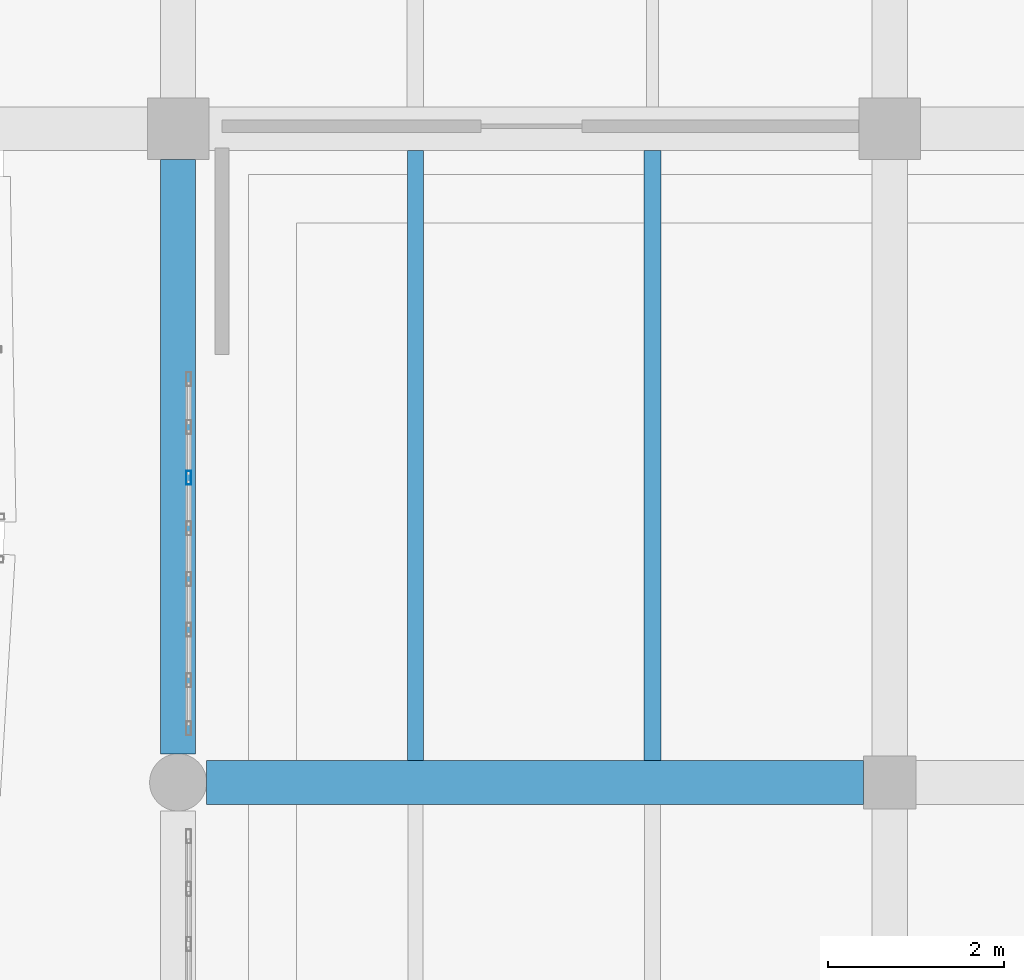
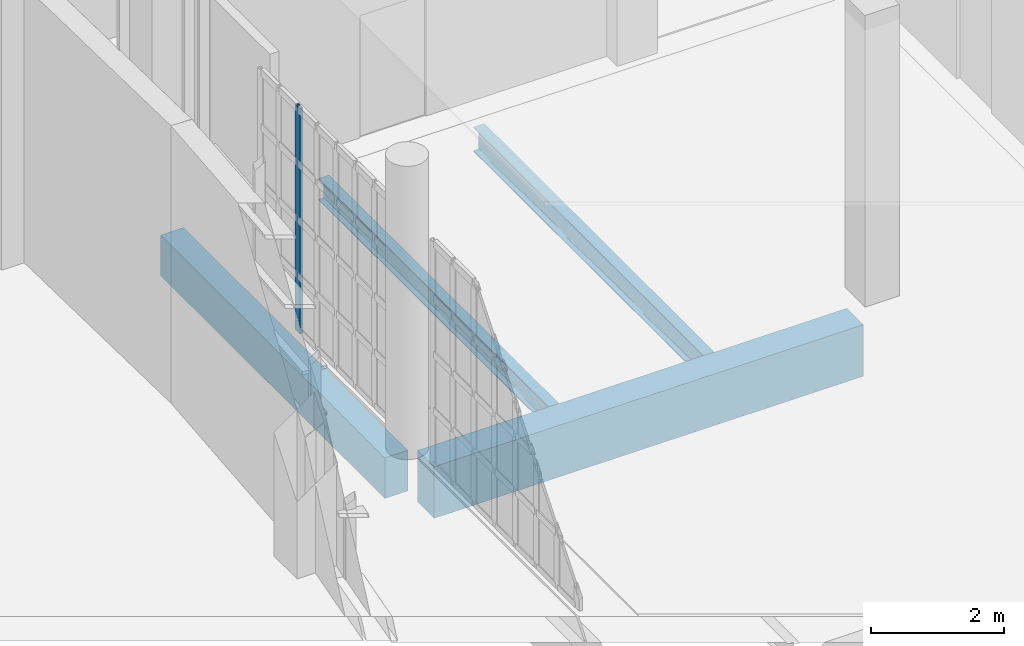
# One storey, part 232 of 372: 4 beams, 1 member, 1 element without a shape of its own.
"""IFC4 building model written with IfcOpenShell, lengths in metres."""

from ifc_helpers import new_model, si_unit, direction, frame, origin, origin_2d, place, context, subcontext, project, spatial, rectangle, hollow_rectangle, i_section, extrude, material, material_profile, profile_set, type_object, element, aggregate, save


model = new_model("IFC4")

# Units and contexts
model_context = context("Model", 3, precision=1e-05, world=origin(), true_north=direction((0.0, 1.0)))
body_context = subcontext(model_context, "Body", "Model", "MODEL_VIEW")
ifc_project = project(units=[si_unit("LENGTHUNIT", "METRE"), si_unit("AREAUNIT", "SQUARE_METRE"), si_unit("VOLUMEUNIT", "CUBIC_METRE"), si_unit("PLANEANGLEUNIT", "RADIAN"), si_unit("MASSUNIT", "GRAM", prefix="KILO")], contexts=[model_context])

# Site, building, storey
site_placement = place(None, origin())
site = spatial("IfcSite", under=ifc_project, at=site_placement, CompositionType="ELEMENT")
building_placement = place(site_placement, origin())
building = spatial("IfcBuilding", under=site, at=building_placement, Name="Kaelora Sail Theatre", CompositionType="ELEMENT")
storey_placement = place(building_placement, origin())
storey = spatial("IfcBuildingStorey", under=building, at=storey_placement, Name="L00", CompositionType="ELEMENT", Elevation=0.0)

# Curtain wall, member
ifc_material_1 = material(Name="Anodised aluminium and solar-control low-E IGU", Category="aluminium")
curtain_wall_type = type_object("IfcCurtainWallType", Name="ARC-CW-CW-FOY2", PredefinedType="NOTDEFINED", material=ifc_material_1)
curtain_wall_placement = place(storey_placement, origin())
curtain_wall = element("IfcCurtainWall", 1, at=curtain_wall_placement, inside=storey, type_object=curtain_wall_type, Name="East Interstitial Foyer West Glazed Return L00-04", PredefinedType="NOTDEFINED")
ifc_material_2 = material(Name="Anodised aluminium 6063-T6", Category="aluminium")
ifc_material_profile_1 = material_profile(ifc_material_2, hollow_rectangle(XDim=0.06005859375, YDim=0.159912109375, WallThickness=0.00390625, InnerFilletRadius=0.00390625, OuterFilletRadius=0.008056640625, at=origin_2d()), Name="ALU-MULL 60x160x4")
ifc_profile_set_1 = profile_set([ifc_material_profile_1], Name="Anodised aluminium 6063-T6")
member_type = type_object("IfcMemberType", Name="ARC-MEM-ML-160", PredefinedType="MULLION", material=ifc_profile_set_1)
member_placement = place(storey_placement, frame((106.919921875, 57.047119140625, 0.0), z_axis=(0.0, 0.0, 1.0), x_axis=(-1.0, 0.0, 0.0)))
member = element("IfcMember", 2, at=member_placement, type_object=member_type, Name="CW-FOY2 mullion 6", PredefinedType="MULLION", context=body_context, shape_type="SweptSolid", body=[
    extrude(hollow_rectangle(XDim=0.06005859375, YDim=0.159912109375, WallThickness=0.00390625, InnerFilletRadius=0.00390625, OuterFilletRadius=0.008056640625, at=origin_2d()), origin(), (0.0, 0.0, 1.0), 4.136962890625),
])
aggregate(curtain_wall, [member])

# Beams
ifc_material_3 = material(Name="Steel S355", Category="steel")
ifc_material_profile_2 = material_profile(ifc_material_3, i_section(OverallWidth=0.18994140625, OverallDepth=0.449951171875, WebThickness=0.009521484375, FlangeThickness=0.0146484375, FilletRadius=0.02099609375, at=origin_2d()), Name="IPE 450")
ifc_profile_set_2 = profile_set([ifc_material_profile_2], Name="Steel S355")
beam_type_1 = type_object("IfcBeamType", Name="STR-BM-BM-IPE450", PredefinedType="BEAM", material=ifc_profile_set_2)
beam_1_placement = place(storey_placement, frame((112.199951171875, 53.830078125, -0.544921875), z_axis=(0.0, 1.0, 0.0), x_axis=(-1.0, 0.0, 0.0)))
element("IfcBeam", 3, at=beam_1_placement, inside=storey, type_object=beam_type_1, Name="Secondary floor joist 14/H-2 (L00)", PredefinedType="BEAM", context=body_context, shape_type="SweptSolid", body=[
    extrude(i_section(OverallWidth=0.18994140625, OverallDepth=0.449951171875, WebThickness=0.009521484375, FlangeThickness=0.0146484375, FilletRadius=0.02099609375, at=origin_2d()), origin(), (0.0, 0.0, 1.0), 6.93994140625),
])
ifc_material_4 = material(Name="Concrete C40/50", Category="concrete")
ifc_material_profile_3 = material_profile(ifc_material_4, rectangle(XDim=0.39990234375, YDim=0.75, at=origin_2d()), Name="RC-BM 400x750")
ifc_profile_set_3 = profile_set([ifc_material_profile_3], Name="Concrete C40/50")
beam_type_2 = type_object("IfcBeamType", Name="STR-BM-BM-RC4075", PredefinedType="BEAM", material=ifc_profile_set_3)
beam_2_placement = place(storey_placement, frame((106.800048828125, 53.905029296875, -0.695068359375), z_axis=(0.0, 1.0, 0.0), x_axis=(-1.0, 0.0, 0.0)))
element("IfcBeam", 4, at=beam_2_placement, inside=storey, type_object=beam_type_2, Name="Primary beam 14 H-I (L00)", PredefinedType="BEAM", context=body_context, shape_type="SweptSolid", body=[
    extrude(rectangle(XDim=0.39990234375, YDim=0.75, at=origin_2d()), origin(), (0.0, 0.0, 1.0), 6.764892578125),
])
ifc_material_5 = material(Name="Concrete C45/55", Category="concrete")
ifc_material_profile_4 = material_profile(ifc_material_5, rectangle(XDim=0.5, YDim=0.949951171875, at=origin_2d()), Name="RC-GRD 500x950")
ifc_profile_set_4 = profile_set([ifc_material_profile_4], Name="Concrete C45/55")
beam_type_3 = type_object("IfcBeamType", Name="STR-BM-GR-RC5095", PredefinedType="T_BEAM", material=ifc_profile_set_4)
beam_3_placement = place(storey_placement, frame((107.125, 53.580078125, -0.794921875), z_axis=(1.0, 0.0, 0.0), x_axis=(0.0, 1.0, 0.0)))
element("IfcBeam", 5, at=beam_3_placement, inside=storey, type_object=beam_type_3, Name="Primary beam H 14-15 (L00)", PredefinedType="T_BEAM", context=body_context, shape_type="SweptSolid", body=[
    extrude(rectangle(XDim=0.5, YDim=0.949951171875, at=origin_2d()), origin(), (0.0, 0.0, 1.0), 7.47509765625),
])
ifc_material_6 = material(Name="Steel S355", Category="steel")
ifc_material_profile_5 = material_profile(ifc_material_6, i_section(OverallWidth=0.179931640625, OverallDepth=0.39990234375, WebThickness=0.008544921875, FlangeThickness=0.013427734375, FilletRadius=0.02099609375, at=origin_2d()), Name="IPE 400")
ifc_profile_set_5 = profile_set([ifc_material_profile_5], Name="Steel S355")
beam_type_4 = type_object("IfcBeamType", Name="STR-BM-JS-IPE400", PredefinedType="JOIST", material=ifc_profile_set_5)
beam_4_placement = place(storey_placement, frame((109.5, 53.830078125, -0.52001953125), z_axis=(0.0, 1.0, 0.0), x_axis=(-1.0, 0.0, 0.0)))
element("IfcBeam", 6, at=beam_4_placement, inside=storey, type_object=beam_type_4, Name="Secondary floor joist 14/H-1 (L00)", PredefinedType="JOIST", context=body_context, shape_type="SweptSolid", body=[
    extrude(i_section(OverallWidth=0.179931640625, OverallDepth=0.39990234375, WebThickness=0.008544921875, FlangeThickness=0.013427734375, FilletRadius=0.02099609375, at=origin_2d()), origin(), (0.0, 0.0, 1.0), 6.93994140625),
])

save(model, "model.ifc")
